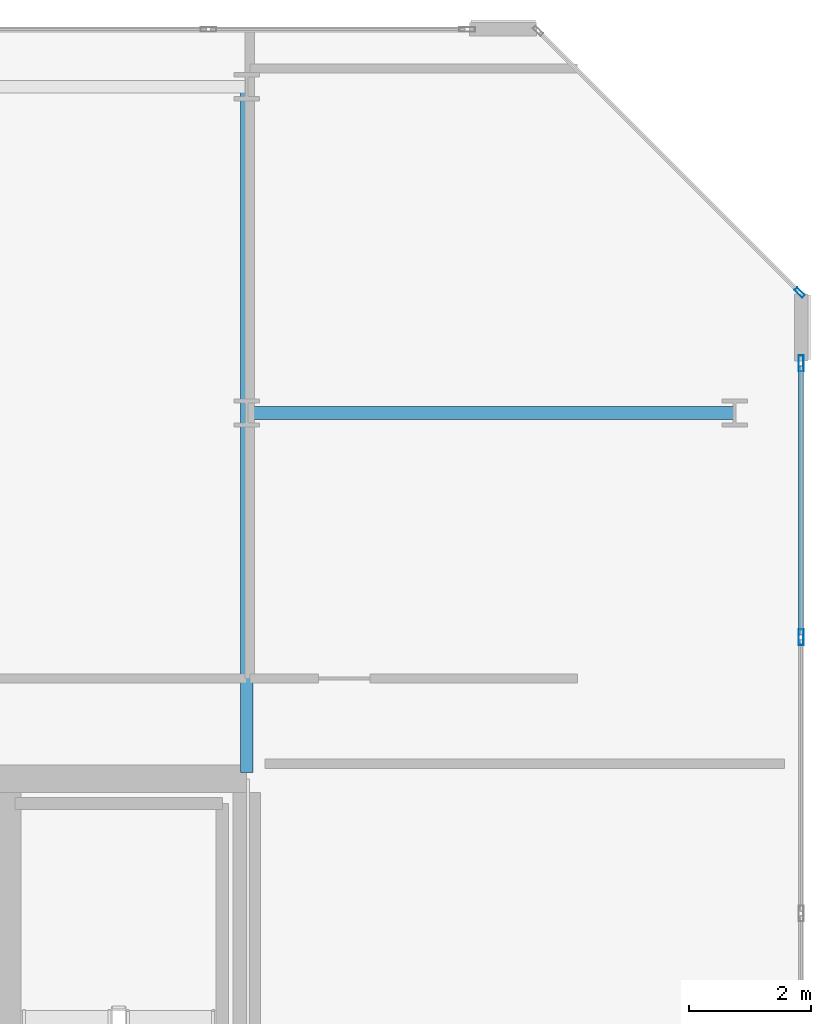
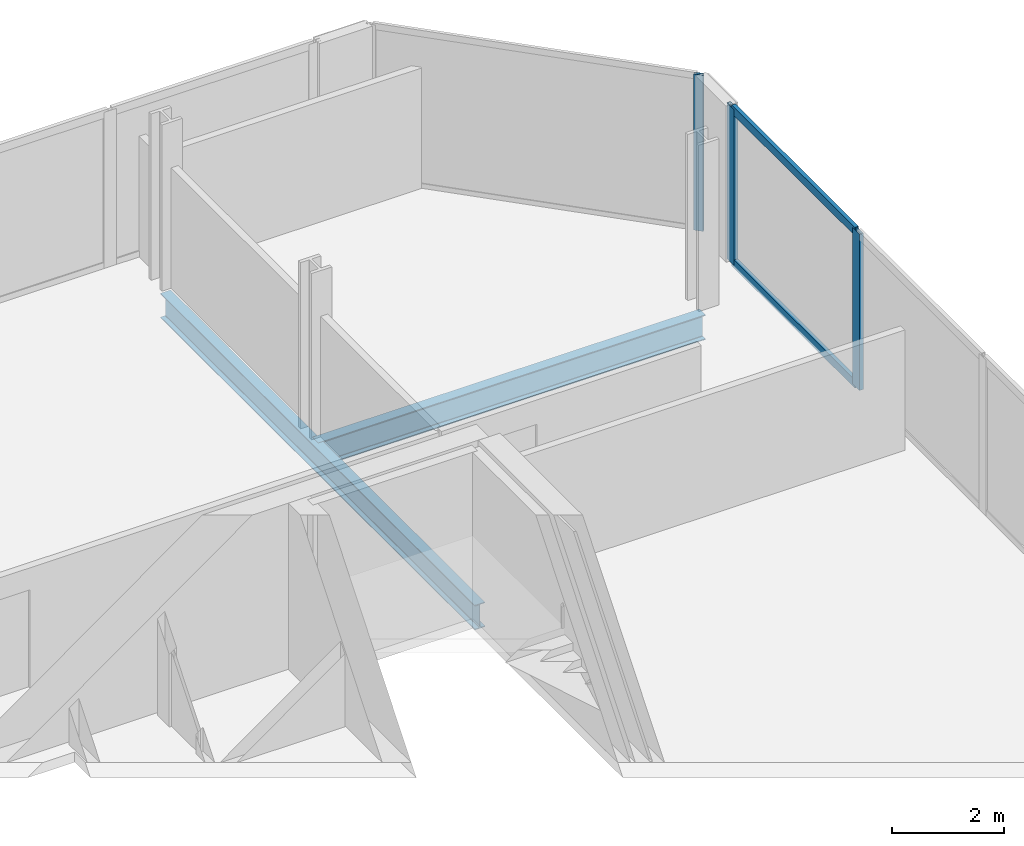
# One storey, part 11 of 17: 5 members, 2 beams, 2 elements without a shape of their own.
"""IFC4 building model written with IfcOpenShell, lengths in metres."""

from ifc_helpers import new_model, si_unit, direction, frame, origin, origin_2d, place, context, subcontext, project, spatial, hollow_rectangle, i_section, extrude, material, layer, layer_set, material_profile, profile_set, type_object, element, aggregate, save


model = new_model("IFC4")

# Units and contexts
model_context = context("Model", 3, precision=1e-05, world=origin(), true_north=direction((0.0, 1.0)))
body_context = subcontext(model_context, "Body", "Model", "MODEL_VIEW")
ifc_project = project(units=[si_unit("LENGTHUNIT", "METRE"), si_unit("AREAUNIT", "SQUARE_METRE"), si_unit("VOLUMEUNIT", "CUBIC_METRE"), si_unit("PLANEANGLEUNIT", "RADIAN"), si_unit("MASSUNIT", "GRAM", prefix="KILO")], contexts=[model_context])

# Site, building, storey
site_placement = place(None, origin())
site = spatial("IfcSite", under=ifc_project, at=site_placement, CompositionType="ELEMENT")
building_placement = place(site_placement, origin())
building = spatial("IfcBuilding", under=site, at=building_placement, Name="Tanjung Sevakor Pilgrim Tower", CompositionType="ELEMENT")
storey_placement = place(building_placement, frame((0.0, 0.0, 267.9599609375)))
storey = spatial("IfcBuildingStorey", under=building, at=storey_placement, Name="L75", CompositionType="ELEMENT", Elevation=267.9599609375)

# Beams
ifc_material_1 = material(Name="Steel S355J2", Category="steel")
ifc_material_profile_1 = material_profile(ifc_material_1, i_section(OverallWidth=0.2119140625, OverallDepth=0.54443359375, WebThickness=0.0126953125, FlangeThickness=0.021240234375, FilletRadius=0.0126953125, at=origin_2d()))
ifc_profile_set_1 = profile_set([ifc_material_profile_1], Name="Steel S355J2")
beam_type_1 = type_object("IfcBeamType", Name="BM-B-G5-UB_533x210x122", PredefinedType="BEAM", material=ifc_profile_set_1)
beam_1_placement = place(storey_placement, frame((90.0, 48.60009765625, -0.4921875), z_axis=(1.0, 0.0, 0.0), x_axis=(0.0, 1.0, 0.0)))
element("IfcBeam", 1, at=beam_1_placement, inside=storey, type_object=beam_type_1, Name="L75 East Peak Wing Girder Y48.6", PredefinedType="BEAM", context=body_context, shape_type="SweptSolid", body=[
    extrude(i_section(OverallWidth=0.2119140625, OverallDepth=0.54443359375, WebThickness=0.0126953125, FlangeThickness=0.021240234375, FilletRadius=0.0126953125, at=origin_2d()), origin(), (0.0, 0.0, 1.0), 8.0),
])
ifc_material_2 = material(Name="Steel S355J2", Category="steel")
ifc_material_profile_2 = material_profile(ifc_material_2, i_section(OverallWidth=0.210693359375, OverallDepth=0.53955078125, WebThickness=0.01171875, FlangeThickness=0.018798828125, FilletRadius=0.0126953125, at=origin_2d()))
ifc_profile_set_2 = profile_set([ifc_material_profile_2], Name="Steel S355J2")
beam_type_2 = type_object("IfcBeamType", Name="BM-B-G6-UB_533x210x109", PredefinedType="BEAM", material=ifc_profile_set_2)
beam_2_placement = place(storey_placement, frame((90.0, 42.7060546875, -0.48974609375), z_axis=(0.0, 1.0, 0.0), x_axis=(-1.0, 0.0, 0.0)))
element("IfcBeam", 2, at=beam_2_placement, inside=storey, type_object=beam_type_2, Name="L75 EAST Girder 010", PredefinedType="BEAM", context=body_context, shape_type="SweptSolid", body=[
    extrude(i_section(OverallWidth=0.210693359375, OverallDepth=0.53955078125, WebThickness=0.01171875, FlangeThickness=0.018798828125, FilletRadius=0.0126953125, at=origin_2d()), origin(), (0.0, 0.0, 1.0), 11.243896484375),
])

# Curtain wall, member
ifc_material_3 = material(Name="Aluminium 6063-T6 and Low-E Glass", Category="aluminium")
ifc_layer_1 = layer(ifc_material_3, 0.179931640625)
ifc_layer_set_1 = layer_set([ifc_layer_1], Name="CW-SYS-CHAM")
curtain_wall_type_1 = type_object("IfcCurtainWallType", Name="CW-SYS-CHAM", PredefinedType="NOTDEFINED", material=ifc_layer_set_1)
curtain_wall_1_placement = place(storey_placement, origin())
curtain_wall_1 = element("IfcCurtainWall", 3, at=curtain_wall_1_placement, inside=storey, type_object=curtain_wall_type_1, Name="L75 Curtain Wall CW-CHM-L75-EAST-3", PredefinedType="NOTDEFINED")
ifc_material_4 = material(Name="Aluminium 6063-T6", Category="aluminium")
ifc_material_profile_3 = material_profile(ifc_material_4, hollow_rectangle(XDim=0.06494140625, YDim=0.179931640625, WallThickness=0.00390625, at=origin_2d()))
ifc_profile_set_3 = profile_set([ifc_material_profile_3], Name="Aluminium 6063-T6")
member_type_1 = type_object("IfcMemberType", Name="TYPE-CWM-1", PredefinedType="MULLION", material=ifc_profile_set_3)
member_1_placement = place(storey_placement, frame((99.067138671875, 50.577392578125, 0.0), z_axis=(0.0, 0.0, 1.0), x_axis=(-0.707106781187, -0.707106781187, 0.0)))
member_1 = element("IfcMember", 4, at=member_1_placement, type_object=member_type_1, Name="CW-CHM mullion 1", PredefinedType="MULLION", context=body_context, shape_type="SweptSolid", body=[
    extrude(hollow_rectangle(XDim=0.06494140625, YDim=0.179931640625, WallThickness=0.00390625, at=origin_2d()), origin(), (0.0, 0.0, 1.0), 3.41015625),
])
aggregate(curtain_wall_1, [member_1])

# Curtain wall, members
ifc_material_5 = material(Name="Aluminium 6063-T6 and Low-E Glass", Category="aluminium")
ifc_layer_2 = layer(ifc_material_5, 0.219970703125)
ifc_layer_set_2 = layer_set([ifc_layer_2], Name="CW-SYS-CRNE")
curtain_wall_type_2 = type_object("IfcCurtainWallType", Name="CW-SYS-CRNE", PredefinedType="NOTDEFINED", material=ifc_layer_set_2)
curtain_wall_2_placement = place(storey_placement, origin())
curtain_wall_2 = element("IfcCurtainWall", 5, at=curtain_wall_2_placement, inside=storey, type_object=curtain_wall_type_2, Name="L75 Curtain Wall CW-CRN-L75-EAST-2-1", PredefinedType="NOTDEFINED")
ifc_material_6 = material(Name="Aluminium 6063-T6", Category="aluminium")
ifc_material_profile_4 = material_profile(ifc_material_6, hollow_rectangle(XDim=0.080078125, YDim=0.260009765625, WallThickness=0.0048828125, at=origin_2d()))
ifc_profile_set_4 = profile_set([ifc_material_profile_4], Name="Aluminium 6063-T6")
member_type_2 = type_object("IfcMemberType", Name="TYPE-CWM-3", PredefinedType="MULLION", material=ifc_profile_set_4)
member_2_placement = place(storey_placement, frame((99.090087890625, 44.924560546875, 0.0), z_axis=(0.0, 0.0, 1.0), x_axis=(-1.0, 0.0, 0.0)))
member_2 = element("IfcMember", 6, at=member_2_placement, type_object=member_type_2, Name="CW-CRE mullion 7", PredefinedType="MULLION", context=body_context, shape_type="SweptSolid", body=[
    extrude(hollow_rectangle(XDim=0.080078125, YDim=0.260009765625, WallThickness=0.0048828125, at=origin_2d()), origin(), (0.0, 0.0, 1.0), 3.41015625),
])
member_3_placement = place(storey_placement, frame((99.090087890625, 49.414306640625, 0.0), z_axis=(0.0, 0.0, 1.0), x_axis=(-1.0, 0.0, 0.0)))
member_3 = element("IfcMember", 7, at=member_3_placement, type_object=member_type_2, Name="CW-CRE mullion 8", PredefinedType="MULLION", context=body_context, shape_type="SweptSolid", body=[
    extrude(hollow_rectangle(XDim=0.080078125, YDim=0.260009765625, WallThickness=0.0048828125, at=origin_2d()), origin(), (0.0, 0.0, 1.0), 3.41015625),
])
ifc_material_7 = material(Name="Aluminium 6063-T6", Category="aluminium")
ifc_material_profile_5 = material_profile(ifc_material_7, hollow_rectangle(XDim=0.080078125, YDim=0.179931640625, WallThickness=0.0048828125, at=origin_2d()))
ifc_profile_set_5 = profile_set([ifc_material_profile_5], Name="Aluminium 6063-T6")
member_type_3 = type_object("IfcMemberType", Name="TYPE-CWT-3", PredefinedType="USERDEFINED", material=ifc_profile_set_5)
member_4_placement = place(storey_placement, frame((99.090087890625, 44.964599609375, 0.0400390625), z_axis=(0.0, 1.0, 0.0), x_axis=(-1.0, 0.0, 0.0)))
member_4 = element("IfcMember", 8, at=member_4_placement, type_object=member_type_3, Name="CW-CRE transom 7.1", ObjectType="TRANSOM", PredefinedType="USERDEFINED", context=body_context, shape_type="SweptSolid", body=[
    extrude(hollow_rectangle(XDim=0.080078125, YDim=0.179931640625, WallThickness=0.0048828125, at=origin_2d()), origin(), (0.0, 0.0, 1.0), 4.409912109375),
])
member_5_placement = place(storey_placement, frame((99.090087890625, 44.964599609375, 3.3701171875), z_axis=(0.0, 1.0, 0.0), x_axis=(-1.0, 0.0, 0.0)))
member_5 = element("IfcMember", 9, at=member_5_placement, type_object=member_type_3, Name="CW-CRE transom 7.2", ObjectType="TRANSOM", PredefinedType="USERDEFINED", context=body_context, shape_type="SweptSolid", body=[
    extrude(hollow_rectangle(XDim=0.080078125, YDim=0.179931640625, WallThickness=0.0048828125, at=origin_2d()), origin(), (0.0, 0.0, 1.0), 4.409912109375),
])
aggregate(curtain_wall_2, [member_2, member_3, member_4, member_5])

save(model, "model.ifc")
